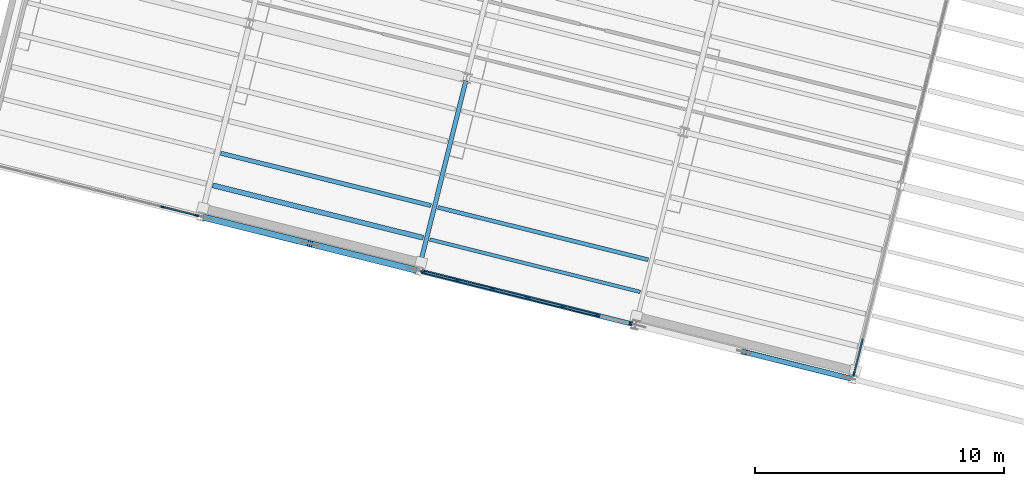
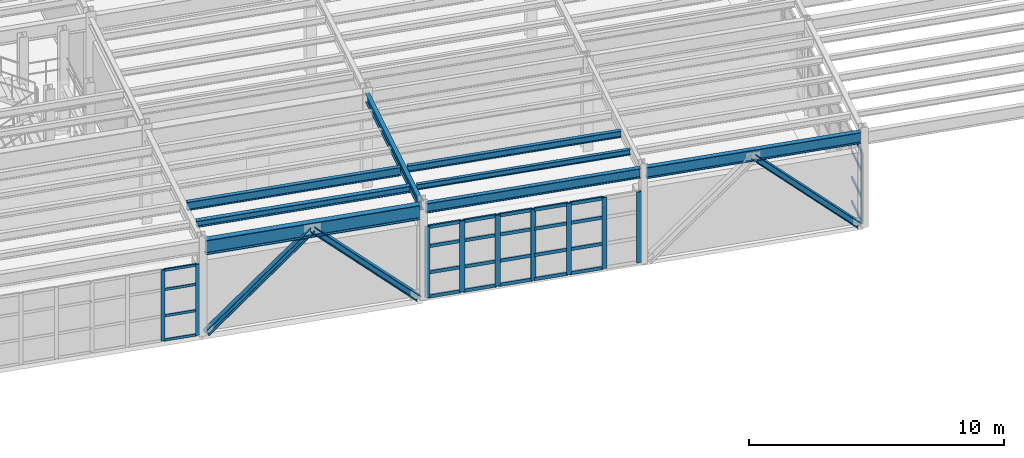
# One storey, part 28 of 102: 41 members, 8 beams, 3 elements without a shape of their own.
"""IFC4 building model written with IfcOpenShell, lengths in metres."""

from ifc_helpers import new_model, si_unit, direction, frame, origin, origin_2d, place, context, subcontext, project, spatial, rectangle, i_section, extrude, material, layer, layer_set, material_profile, profile_set, type_object, element, aggregate, save


model = new_model("IFC4")

# Units and contexts
model_context = context("Model", 3, precision=1e-05, world=origin(), true_north=direction((0.0, 1.0)))
body_context = subcontext(model_context, "Body", "Model", "MODEL_VIEW")
ifc_project = project(units=[si_unit("LENGTHUNIT", "METRE"), si_unit("AREAUNIT", "SQUARE_METRE"), si_unit("VOLUMEUNIT", "CUBIC_METRE"), si_unit("PLANEANGLEUNIT", "RADIAN"), si_unit("MASSUNIT", "GRAM", prefix="KILO")], contexts=[model_context])

# Site, building, storey
site_placement = place(None, origin())
site = spatial("IfcSite", under=ifc_project, at=site_placement, CompositionType="ELEMENT")
building_placement = place(site_placement, origin())
building = spatial("IfcBuilding", under=site, at=building_placement, Name="Vireo Bluff Cable Station", CompositionType="ELEMENT")
storey_placement = place(building_placement, frame((0.0, 0.0, 9.60009765625)))
storey = spatial("IfcBuildingStorey", under=building, at=storey_placement, Name="L02", CompositionType="ELEMENT", Elevation=9.60009765625)

# Beam
ifc_material_1 = material(Name="Steel ASTM A992 Gr. 50", Category="steel")
ifc_material_profile_1 = material_profile(ifc_material_1, i_section(OverallWidth=0.180908203125, OverallDepth=0.4169921875, WebThickness=0.010986328125, FlangeThickness=0.018310546875, FilletRadius=0.010009765625, at=origin_2d()), Name="W16X57")
ifc_profile_set_1 = profile_set([ifc_material_profile_1], Name="Steel ASTM A992 Gr. 50")
beam_type_1 = type_object("IfcBeamType", Name="BM-W16X57", PredefinedType="BEAM", material=ifc_profile_set_1)
beam_1_placement = place(storey_placement, frame((80.22705078125, 31.58447265625, 4.331298828125), z_axis=(0.241906346953, 0.970299602857, 0.0), x_axis=(-0.970299602857, 0.241906346953, 0.0)))
element("IfcBeam", 1, at=beam_1_placement, inside=storey, type_object=beam_type_1, Name="V1 L02 beam 178", PredefinedType="BEAM", context=body_context, shape_type="SweptSolid", body=[
    extrude(i_section(OverallWidth=0.180908203125, OverallDepth=0.4169921875, WebThickness=0.010986328125, FlangeThickness=0.018310546875, FilletRadius=0.010009765625, at=origin_2d()), origin(), (0.0, 0.0, 1.0), 7.760009765625),
])

# Members
ifc_material_profile_2 = material_profile(ifc_material_1, i_section(OverallWidth=0.2041015625, OverallDepth=0.257080078125, WebThickness=0.0087890625, FlangeThickness=0.015625, FilletRadius=0.009033203125, at=origin_2d()), Name="W10X45")
ifc_profile_set_2 = profile_set([ifc_material_profile_2], Name="Steel ASTM A992 Gr. 50")
member_type_1 = type_object("IfcMemberType", Name="BRC-01", PredefinedType="BRACE", material=ifc_profile_set_2)
member_1_placement = place(storey_placement, frame((97.508056640625, 27.15234375, 0.039794921875), z_axis=(-0.702089162406, 0.175023676639, 0.690244536847), x_axis=(-0.241887009228, -0.970304423759, 0.0)))
element("IfcMember", 2, at=member_1_placement, inside=storey, type_object=member_type_1, Name="V1 L02 concentric brace 12R", PredefinedType="BRACE", context=body_context, shape_type="SweptSolid", body=[
    extrude(i_section(OverallWidth=0.2041015625, OverallDepth=0.257080078125, WebThickness=0.0087890625, FlangeThickness=0.015625, FilletRadius=0.009033203125, at=origin_2d()), origin(), (0.0, 0.0, 1.0), 5.998046875),
])
ifc_material_profile_3 = material_profile(ifc_material_1, i_section(OverallWidth=0.2548828125, OverallDepth=0.256103515625, WebThickness=0.009521484375, FlangeThickness=0.015625, FilletRadius=0.009033203125, at=origin_2d()), Name="W10X54")
ifc_profile_set_3 = profile_set([ifc_material_profile_3], Name="Steel ASTM A992 Gr. 50")
member_type_2 = type_object("IfcMemberType", Name="BRC-02", PredefinedType="BRACE", material=ifc_profile_set_3)
member_2_placement = place(storey_placement, frame((71.62060546875, 33.606689453125, 0.039794921875), z_axis=(0.702063519762, -0.175068135349, 0.690259344163), x_axis=(0.241953175614, 0.970287926757, 0.0)))
element("IfcMember", 3, at=member_2_placement, inside=storey, type_object=member_type_2, Name="V1 L02 concentric brace 13L", PredefinedType="BRACE", context=body_context, shape_type="SweptSolid", body=[
    extrude(i_section(OverallWidth=0.2548828125, OverallDepth=0.256103515625, WebThickness=0.009521484375, FlangeThickness=0.015625, FilletRadius=0.009033203125, at=origin_2d()), origin(), (0.0, 0.0, 1.0), 5.998046875),
])
ifc_material_profile_4 = material_profile(ifc_material_1, i_section(OverallWidth=0.257080078125, OverallDepth=0.263916015625, WebThickness=0.011962890625, FlangeThickness=0.01953125, FilletRadius=0.009033203125, at=origin_2d()), Name="W10X68")
ifc_profile_set_4 = profile_set([ifc_material_profile_4], Name="Steel ASTM A992 Gr. 50")
member_type_3 = type_object("IfcMemberType", Name="BRC-03", PredefinedType="BRACE", material=ifc_profile_set_4)
member_3_placement = place(storey_placement, frame((80.042724609375, 31.5068359375, 0.039794921875), z_axis=(-0.702089162406, 0.175023676639, 0.690244536847), x_axis=(-0.241887009228, -0.970304423759, 0.0)))
element("IfcMember", 4, at=member_3_placement, inside=storey, type_object=member_type_3, Name="V1 L02 concentric brace 14R", PredefinedType="BRACE", context=body_context, shape_type="SweptSolid", body=[
    extrude(i_section(OverallWidth=0.257080078125, OverallDepth=0.263916015625, WebThickness=0.011962890625, FlangeThickness=0.01953125, FilletRadius=0.009033203125, at=origin_2d()), origin(), (0.0, 0.0, 1.0), 5.998046875),
])

# Curtain wall, members
ifc_material_2 = material(Name="Anodized Aluminium 6063-T6", Category="aluminium")
ifc_layer_1 = layer(ifc_material_2, 0.179931640625, Name="Anodized Aluminium 6063-T6")
ifc_layer_set_1 = layer_set([ifc_layer_1], Name="Anodized Aluminium 6063-T6")
curtain_wall_type_1 = type_object("IfcCurtainWallType", Name="CW-UNIT-1400", PredefinedType="USERDEFINED", material=ifc_layer_set_1)
curtain_wall_1_placement = place(storey_placement, origin())
curtain_wall_1 = element("IfcCurtainWall", 5, at=curtain_wall_1_placement, inside=storey, type_object=curtain_wall_type_1, Name="V1 L02 south curtain wall CW-009", ObjectType="UNITISED CURTAIN WALL", PredefinedType="USERDEFINED")
ifc_material_profile_5 = material_profile(ifc_material_2, rectangle(XDim=0.074951171875, YDim=0.2099609375, at=origin_2d()), Name="ALU-M-75X210")
ifc_profile_set_5 = profile_set([ifc_material_profile_5], Name="Anodized Aluminium 6063-T6")
member_type_4 = type_object("IfcMemberType", Name="CWM-02", PredefinedType="MULLION", material=ifc_profile_set_5)
member_4_placement = place(storey_placement, frame((88.76904296875, 29.3310546875, 0.0), z_axis=(0.0, 0.0, 1.0), x_axis=(-0.241921859664, -0.970295735236, 0.0)))
member_4 = element("IfcMember", 6, at=member_4_placement, type_object=member_type_4, Name="CW-009 mullion 1", PredefinedType="MULLION", context=body_context, shape_type="SweptSolid", body=[
    extrude(rectangle(XDim=0.074951171875, YDim=0.2099609375, at=origin_2d()), origin(), (0.0, 0.0, 1.0), 3.39990234375),
])
member_5_placement = place(storey_placement, frame((87.396240234375, 29.67333984375, 0.0), z_axis=(0.0, 0.0, 1.0), x_axis=(-0.241921859664, -0.970295735236, 0.0)))
member_5 = element("IfcMember", 7, at=member_5_placement, type_object=member_type_4, Name="CW-009 mullion 2", PredefinedType="MULLION", context=body_context, shape_type="SweptSolid", body=[
    extrude(rectangle(XDim=0.074951171875, YDim=0.2099609375, at=origin_2d()), origin(), (0.0, 0.0, 1.0), 3.39990234375),
])
member_6_placement = place(storey_placement, frame((85.98681640625, 30.024658203125, 0.0), z_axis=(0.0, 0.0, 1.0), x_axis=(-0.241921859664, -0.970295735236, 0.0)))
member_6 = element("IfcMember", 8, at=member_6_placement, type_object=member_type_4, Name="CW-009 mullion 3", PredefinedType="MULLION", context=body_context, shape_type="SweptSolid", body=[
    extrude(rectangle(XDim=0.074951171875, YDim=0.2099609375, at=origin_2d()), origin(), (0.0, 0.0, 1.0), 3.39990234375),
])
member_7_placement = place(storey_placement, frame((84.57763671875, 30.376220703125, 0.0), z_axis=(0.0, 0.0, 1.0), x_axis=(-0.241921859664, -0.970295735236, 0.0)))
member_7 = element("IfcMember", 9, at=member_7_placement, type_object=member_type_4, Name="CW-009 mullion 4", PredefinedType="MULLION", context=body_context, shape_type="SweptSolid", body=[
    extrude(rectangle(XDim=0.074951171875, YDim=0.2099609375, at=origin_2d()), origin(), (0.0, 0.0, 1.0), 3.39990234375),
])
member_8_placement = place(storey_placement, frame((83.16845703125, 30.7275390625, 0.0), z_axis=(0.0, 0.0, 1.0), x_axis=(-0.241921859664, -0.970295735236, 0.0)))
member_8 = element("IfcMember", 10, at=member_8_placement, type_object=member_type_4, Name="CW-009 mullion 5", PredefinedType="MULLION", context=body_context, shape_type="SweptSolid", body=[
    extrude(rectangle(XDim=0.074951171875, YDim=0.2099609375, at=origin_2d()), origin(), (0.0, 0.0, 1.0), 3.39990234375),
])
member_9_placement = place(storey_placement, frame((81.759033203125, 31.078857421875, 0.0), z_axis=(0.0, 0.0, 1.0), x_axis=(-0.241921859664, -0.970295735236, 0.0)))
member_9 = element("IfcMember", 11, at=member_9_placement, type_object=member_type_4, Name="CW-009 mullion 6", PredefinedType="MULLION", context=body_context, shape_type="SweptSolid", body=[
    extrude(rectangle(XDim=0.074951171875, YDim=0.2099609375, at=origin_2d()), origin(), (0.0, 0.0, 1.0), 3.39990234375),
])
member_10_placement = place(storey_placement, frame((80.38623046875, 31.421142578125, 0.0), z_axis=(0.0, 0.0, 1.0), x_axis=(-0.241921859664, -0.970295735236, 0.0)))
member_10 = element("IfcMember", 12, at=member_10_placement, type_object=member_type_4, Name="CW-009 mullion 7", PredefinedType="MULLION", context=body_context, shape_type="SweptSolid", body=[
    extrude(rectangle(XDim=0.074951171875, YDim=0.2099609375, at=origin_2d()), origin(), (0.0, 0.0, 1.0), 3.39990234375),
])

ifc_layer_2 = layer(ifc_material_2, 0.179931640625, Name="Anodized Aluminium 6063-T6")
ifc_layer_set_2 = layer_set([ifc_layer_2], Name="Anodized Aluminium 6063-T6")
curtain_wall_type_2 = type_object("IfcCurtainWallType", Name="CW-UNIT-1500", PredefinedType="USERDEFINED", material=ifc_layer_set_2)
curtain_wall_2_placement = place(storey_placement, origin())
curtain_wall_2 = element("IfcCurtainWall", 13, at=curtain_wall_2_placement, inside=storey, type_object=curtain_wall_type_2, Name="V1 L02 south curtain wall CW-010", ObjectType="UNITISED CURTAIN WALL", PredefinedType="USERDEFINED")
ifc_material_profile_6 = material_profile(ifc_material_2, rectangle(XDim=0.06005859375, YDim=0.159912109375, at=origin_2d()), Name="ALU-M-60X160")
ifc_profile_set_6 = profile_set([ifc_material_profile_6], Name="Anodized Aluminium 6063-T6")
member_type_5 = type_object("IfcMemberType", Name="CWM-03", PredefinedType="MULLION", material=ifc_profile_set_6)
member_11_placement = place(storey_placement, frame((71.284423828125, 33.6904296875, 0.0), z_axis=(0.0, 0.0, 1.0), x_axis=(-0.241921839952, -0.970295740151, 0.0)))
member_11 = element("IfcMember", 14, at=member_11_placement, type_object=member_type_5, Name="CW-010 mullion 1", PredefinedType="MULLION", context=body_context, shape_type="SweptSolid", body=[
    extrude(rectangle(XDim=0.06005859375, YDim=0.159912109375, at=origin_2d()), origin(), (0.0, 0.0, 1.0), 3.39990234375),
])
member_12_placement = place(storey_placement, frame((69.90869140625, 34.033447265625, 0.0), z_axis=(0.0, 0.0, 1.0), x_axis=(-0.241921839952, -0.970295740151, 0.0)))
member_12 = element("IfcMember", 15, at=member_12_placement, type_object=member_type_5, Name="CW-010 mullion 2", PredefinedType="MULLION", context=body_context, shape_type="SweptSolid", body=[
    extrude(rectangle(XDim=0.06005859375, YDim=0.159912109375, at=origin_2d()), origin(), (0.0, 0.0, 1.0), 3.39990234375),
])

# Curtain wall, member
curtain_wall_3_placement = place(storey_placement, origin())
curtain_wall_3 = element("IfcCurtainWall", 16, at=curtain_wall_3_placement, inside=storey, type_object=curtain_wall_type_1, Name="V1 L02 east curtain wall CW-018", ObjectType="UNITISED CURTAIN WALL", PredefinedType="USERDEFINED")
member_13_placement = place(storey_placement, frame((97.710205078125, 27.30126953125, 0.0), z_axis=(0.0, 0.0, 1.0), x_axis=(0.970295732031, -0.241921872517, 0.0)))
member_13 = element("IfcMember", 17, at=member_13_placement, type_object=member_type_5, Name="CW-018 mullion 6", PredefinedType="MULLION", context=body_context, shape_type="SweptSolid", body=[
    extrude(rectangle(XDim=0.06005859375, YDim=0.159912109375, at=origin_2d()), origin(), (0.0, 0.0, 1.0), 3.39990234375),
])

# Member
ifc_material_profile_7 = material_profile(ifc_material_2, rectangle(XDim=0.074951171875, YDim=0.159912109375, at=origin_2d()), Name="ALU-T-75X160")
ifc_profile_set_7 = profile_set([ifc_material_profile_7], Name="Anodized Aluminium 6063-T6")
member_type_6 = type_object("IfcMemberType", Name="CWT-02", PredefinedType="USERDEFINED", material=ifc_profile_set_7)
member_14_placement = place(storey_placement, frame((87.35986328125, 29.682373046875, 0.037353515625), z_axis=(-0.9702882983, 0.241951685637, 0.0), x_axis=(-0.241951685637, -0.9702882983, 0.0)))
member_14 = element("IfcMember", 18, at=member_14_placement, type_object=member_type_6, Name="CW-009 transom 2.1", ObjectType="TRANSOM", PredefinedType="USERDEFINED", context=body_context, shape_type="SweptSolid", body=[
    extrude(rectangle(XDim=0.074951171875, YDim=0.159912109375, at=origin_2d()), origin(), (0.0, 0.0, 1.0), 1.37744140625),
])

member_15_placement = place(storey_placement, frame((87.35986328125, 29.682373046875, 1.18994140625), z_axis=(-0.9702882983, 0.241951685637, 0.0), x_axis=(-0.241951685637, -0.9702882983, 0.0)))
member_15 = element("IfcMember", 19, at=member_15_placement, type_object=member_type_6, Name="CW-009 transom 2.2", ObjectType="TRANSOM", PredefinedType="USERDEFINED", context=body_context, shape_type="SweptSolid", body=[
    extrude(rectangle(XDim=0.074951171875, YDim=0.159912109375, at=origin_2d()), origin(), (0.0, 0.0, 1.0), 1.37744140625),
])

member_16_placement = place(storey_placement, frame((87.35986328125, 29.682373046875, 2.447998046875), z_axis=(-0.9702882983, 0.241951685637, 0.0), x_axis=(-0.241951685637, -0.9702882983, 0.0)))
member_16 = element("IfcMember", 20, at=member_16_placement, type_object=member_type_6, Name="CW-009 transom 2.3", ObjectType="TRANSOM", PredefinedType="USERDEFINED", context=body_context, shape_type="SweptSolid", body=[
    extrude(rectangle(XDim=0.074951171875, YDim=0.159912109375, at=origin_2d()), origin(), (0.0, 0.0, 1.0), 1.37744140625),
])

member_17_placement = place(storey_placement, frame((87.35986328125, 29.682373046875, 3.3623046875), z_axis=(-0.9702882983, 0.241951685637, 0.0), x_axis=(-0.241951685637, -0.9702882983, 0.0)))
member_17 = element("IfcMember", 21, at=member_17_placement, type_object=member_type_6, Name="CW-009 transom 2.4", ObjectType="TRANSOM", PredefinedType="USERDEFINED", context=body_context, shape_type="SweptSolid", body=[
    extrude(rectangle(XDim=0.074951171875, YDim=0.159912109375, at=origin_2d()), origin(), (0.0, 0.0, 1.0), 1.37744140625),
])

member_18_placement = place(storey_placement, frame((85.950439453125, 30.033935546875, 0.037353515625), z_axis=(-0.970329898389, 0.241784797479, 0.0), x_axis=(-0.241784797479, -0.970329898389, 0.0)))
member_18 = element("IfcMember", 22, at=member_18_placement, type_object=member_type_6, Name="CW-009 transom 3.1", ObjectType="TRANSOM", PredefinedType="USERDEFINED", context=body_context, shape_type="SweptSolid", body=[
    extrude(rectangle(XDim=0.074951171875, YDim=0.159912109375, at=origin_2d()), origin(), (0.0, 0.0, 1.0), 1.377197265625),
])

member_19_placement = place(storey_placement, frame((85.950439453125, 30.033935546875, 1.18994140625), z_axis=(-0.970329898389, 0.241784797479, 0.0), x_axis=(-0.241784797479, -0.970329898389, 0.0)))
member_19 = element("IfcMember", 23, at=member_19_placement, type_object=member_type_6, Name="CW-009 transom 3.2", ObjectType="TRANSOM", PredefinedType="USERDEFINED", context=body_context, shape_type="SweptSolid", body=[
    extrude(rectangle(XDim=0.074951171875, YDim=0.159912109375, at=origin_2d()), origin(), (0.0, 0.0, 1.0), 1.377197265625),
])

member_20_placement = place(storey_placement, frame((85.950439453125, 30.033935546875, 2.447998046875), z_axis=(-0.970329898389, 0.241784797479, 0.0), x_axis=(-0.241784797479, -0.970329898389, 0.0)))
member_20 = element("IfcMember", 24, at=member_20_placement, type_object=member_type_6, Name="CW-009 transom 3.3", ObjectType="TRANSOM", PredefinedType="USERDEFINED", context=body_context, shape_type="SweptSolid", body=[
    extrude(rectangle(XDim=0.074951171875, YDim=0.159912109375, at=origin_2d()), origin(), (0.0, 0.0, 1.0), 1.377197265625),
])

member_21_placement = place(storey_placement, frame((85.950439453125, 30.033935546875, 3.3623046875), z_axis=(-0.970329898389, 0.241784797479, 0.0), x_axis=(-0.241784797479, -0.970329898389, 0.0)))
member_21 = element("IfcMember", 25, at=member_21_placement, type_object=member_type_6, Name="CW-009 transom 3.4", ObjectType="TRANSOM", PredefinedType="USERDEFINED", context=body_context, shape_type="SweptSolid", body=[
    extrude(rectangle(XDim=0.074951171875, YDim=0.159912109375, at=origin_2d()), origin(), (0.0, 0.0, 1.0), 1.377197265625),
])

member_22_placement = place(storey_placement, frame((84.541259765625, 30.38525390625, 0.037353515625), z_axis=(-0.9702882983, 0.241951685637, 0.0), x_axis=(-0.241951685637, -0.9702882983, 0.0)))
member_22 = element("IfcMember", 26, at=member_22_placement, type_object=member_type_6, Name="CW-009 transom 4.1", ObjectType="TRANSOM", PredefinedType="USERDEFINED", context=body_context, shape_type="SweptSolid", body=[
    extrude(rectangle(XDim=0.074951171875, YDim=0.159912109375, at=origin_2d()), origin(), (0.0, 0.0, 1.0), 1.37744140625),
])

member_23_placement = place(storey_placement, frame((84.541259765625, 30.38525390625, 1.18994140625), z_axis=(-0.9702882983, 0.241951685637, 0.0), x_axis=(-0.241951685637, -0.9702882983, 0.0)))
member_23 = element("IfcMember", 27, at=member_23_placement, type_object=member_type_6, Name="CW-009 transom 4.2", ObjectType="TRANSOM", PredefinedType="USERDEFINED", context=body_context, shape_type="SweptSolid", body=[
    extrude(rectangle(XDim=0.074951171875, YDim=0.159912109375, at=origin_2d()), origin(), (0.0, 0.0, 1.0), 1.37744140625),
])

member_24_placement = place(storey_placement, frame((84.541259765625, 30.38525390625, 2.447998046875), z_axis=(-0.9702882983, 0.241951685637, 0.0), x_axis=(-0.241951685637, -0.9702882983, 0.0)))
member_24 = element("IfcMember", 28, at=member_24_placement, type_object=member_type_6, Name="CW-009 transom 4.3", ObjectType="TRANSOM", PredefinedType="USERDEFINED", context=body_context, shape_type="SweptSolid", body=[
    extrude(rectangle(XDim=0.074951171875, YDim=0.159912109375, at=origin_2d()), origin(), (0.0, 0.0, 1.0), 1.37744140625),
])

member_25_placement = place(storey_placement, frame((84.541259765625, 30.38525390625, 3.3623046875), z_axis=(-0.9702882983, 0.241951685637, 0.0), x_axis=(-0.241951685637, -0.9702882983, 0.0)))
member_25 = element("IfcMember", 29, at=member_25_placement, type_object=member_type_6, Name="CW-009 transom 4.4", ObjectType="TRANSOM", PredefinedType="USERDEFINED", context=body_context, shape_type="SweptSolid", body=[
    extrude(rectangle(XDim=0.074951171875, YDim=0.159912109375, at=origin_2d()), origin(), (0.0, 0.0, 1.0), 1.37744140625),
])

member_26_placement = place(storey_placement, frame((83.132080078125, 30.736572265625, 0.037353515625), z_axis=(-0.970298672181, 0.241910079914, 0.0), x_axis=(-0.241910079914, -0.970298672181, 0.0)))
member_26 = element("IfcMember", 30, at=member_26_placement, type_object=member_type_6, Name="CW-009 transom 5.1", ObjectType="TRANSOM", PredefinedType="USERDEFINED", context=body_context, shape_type="SweptSolid", body=[
    extrude(rectangle(XDim=0.074951171875, YDim=0.159912109375, at=origin_2d()), origin(), (0.0, 0.0, 1.0), 1.377685546875),
])

member_27_placement = place(storey_placement, frame((83.132080078125, 30.736572265625, 1.18994140625), z_axis=(-0.970298672181, 0.241910079914, 0.0), x_axis=(-0.241910079914, -0.970298672181, 0.0)))
member_27 = element("IfcMember", 31, at=member_27_placement, type_object=member_type_6, Name="CW-009 transom 5.2", ObjectType="TRANSOM", PredefinedType="USERDEFINED", context=body_context, shape_type="SweptSolid", body=[
    extrude(rectangle(XDim=0.074951171875, YDim=0.159912109375, at=origin_2d()), origin(), (0.0, 0.0, 1.0), 1.377685546875),
])

member_28_placement = place(storey_placement, frame((83.132080078125, 30.736572265625, 2.447998046875), z_axis=(-0.970298672181, 0.241910079914, 0.0), x_axis=(-0.241910079914, -0.970298672181, 0.0)))
member_28 = element("IfcMember", 32, at=member_28_placement, type_object=member_type_6, Name="CW-009 transom 5.3", ObjectType="TRANSOM", PredefinedType="USERDEFINED", context=body_context, shape_type="SweptSolid", body=[
    extrude(rectangle(XDim=0.074951171875, YDim=0.159912109375, at=origin_2d()), origin(), (0.0, 0.0, 1.0), 1.377685546875),
])

member_29_placement = place(storey_placement, frame((83.132080078125, 30.736572265625, 3.3623046875), z_axis=(-0.970298672181, 0.241910079914, 0.0), x_axis=(-0.241910079914, -0.970298672181, 0.0)))
member_29 = element("IfcMember", 33, at=member_29_placement, type_object=member_type_6, Name="CW-009 transom 5.4", ObjectType="TRANSOM", PredefinedType="USERDEFINED", context=body_context, shape_type="SweptSolid", body=[
    extrude(rectangle(XDim=0.074951171875, YDim=0.159912109375, at=origin_2d()), origin(), (0.0, 0.0, 1.0), 1.377685546875),
])

member_30_placement = place(storey_placement, frame((81.72265625, 31.087890625, 0.037353515625), z_axis=(-0.97028167903, 0.241978229061, 0.0), x_axis=(-0.241978229061, -0.97028167903, 0.0)))
member_30 = element("IfcMember", 34, at=member_30_placement, type_object=member_type_6, Name="CW-009 transom 6.1", ObjectType="TRANSOM", PredefinedType="USERDEFINED", context=body_context, shape_type="SweptSolid", body=[
    extrude(rectangle(XDim=0.074951171875, YDim=0.159912109375, at=origin_2d()), origin(), (0.0, 0.0, 1.0), 1.33984375),
])

member_31_placement = place(storey_placement, frame((81.72265625, 31.087890625, 1.18994140625), z_axis=(-0.97028167903, 0.241978229061, 0.0), x_axis=(-0.241978229061, -0.97028167903, 0.0)))
member_31 = element("IfcMember", 35, at=member_31_placement, type_object=member_type_6, Name="CW-009 transom 6.2", ObjectType="TRANSOM", PredefinedType="USERDEFINED", context=body_context, shape_type="SweptSolid", body=[
    extrude(rectangle(XDim=0.074951171875, YDim=0.159912109375, at=origin_2d()), origin(), (0.0, 0.0, 1.0), 1.33984375),
])

member_32_placement = place(storey_placement, frame((81.72265625, 31.087890625, 2.447998046875), z_axis=(-0.97028167903, 0.241978229061, 0.0), x_axis=(-0.241978229061, -0.97028167903, 0.0)))
member_32 = element("IfcMember", 36, at=member_32_placement, type_object=member_type_6, Name="CW-009 transom 6.3", ObjectType="TRANSOM", PredefinedType="USERDEFINED", context=body_context, shape_type="SweptSolid", body=[
    extrude(rectangle(XDim=0.074951171875, YDim=0.159912109375, at=origin_2d()), origin(), (0.0, 0.0, 1.0), 1.33984375),
])

member_33_placement = place(storey_placement, frame((81.72265625, 31.087890625, 3.3623046875), z_axis=(-0.97028167903, 0.241978229061, 0.0), x_axis=(-0.241978229061, -0.97028167903, 0.0)))
member_33 = element("IfcMember", 37, at=member_33_placement, type_object=member_type_6, Name="CW-009 transom 6.4", ObjectType="TRANSOM", PredefinedType="USERDEFINED", context=body_context, shape_type="SweptSolid", body=[
    extrude(rectangle(XDim=0.074951171875, YDim=0.159912109375, at=origin_2d()), origin(), (0.0, 0.0, 1.0), 1.33984375),
])

aggregate(curtain_wall_1, [member_4, member_5, member_6, member_7, member_8, member_9, member_10, member_14, member_15, member_16, member_17, member_18, member_19, member_20, member_21, member_22, member_23, member_24, member_25, member_26, member_27, member_28, member_29, member_30, member_31, member_32, member_33])

ifc_material_profile_8 = material_profile(ifc_material_2, rectangle(XDim=0.06005859375, YDim=0.1201171875, at=origin_2d()), Name="ALU-T-60X120")
ifc_profile_set_8 = profile_set([ifc_material_profile_8], Name="Anodized Aluminium 6063-T6")
member_type_7 = type_object("IfcMemberType", Name="CWT-03", PredefinedType="USERDEFINED", material=ifc_profile_set_8)
member_34_placement = place(storey_placement, frame((71.25537109375, 33.69775390625, 0.02978515625), z_axis=(-0.970279824125, 0.241985666717, 0.0), x_axis=(-0.241985666717, -0.970279824125, 0.0)))
member_34 = element("IfcMember", 38, at=member_34_placement, type_object=member_type_7, Name="CW-010 transom 1.1", ObjectType="TRANSOM", PredefinedType="USERDEFINED", context=body_context, shape_type="SweptSolid", body=[
    extrude(rectangle(XDim=0.06005859375, YDim=0.1201171875, at=origin_2d()), origin(), (0.0, 0.0, 1.0), 1.35791015625),
])

member_35_placement = place(storey_placement, frame((71.25537109375, 33.69775390625, 1.18994140625), z_axis=(-0.970279824125, 0.241985666717, 0.0), x_axis=(-0.241985666717, -0.970279824125, 0.0)))
member_35 = element("IfcMember", 39, at=member_35_placement, type_object=member_type_7, Name="CW-010 transom 1.2", ObjectType="TRANSOM", PredefinedType="USERDEFINED", context=body_context, shape_type="SweptSolid", body=[
    extrude(rectangle(XDim=0.06005859375, YDim=0.1201171875, at=origin_2d()), origin(), (0.0, 0.0, 1.0), 1.35791015625),
])

member_36_placement = place(storey_placement, frame((71.25537109375, 33.69775390625, 2.447998046875), z_axis=(-0.970279824125, 0.241985666717, 0.0), x_axis=(-0.241985666717, -0.970279824125, 0.0)))
member_36 = element("IfcMember", 40, at=member_36_placement, type_object=member_type_7, Name="CW-010 transom 1.3", ObjectType="TRANSOM", PredefinedType="USERDEFINED", context=body_context, shape_type="SweptSolid", body=[
    extrude(rectangle(XDim=0.06005859375, YDim=0.1201171875, at=origin_2d()), origin(), (0.0, 0.0, 1.0), 1.35791015625),
])

member_37_placement = place(storey_placement, frame((71.25537109375, 33.69775390625, 3.369873046875), z_axis=(-0.970279824125, 0.241985666717, 0.0), x_axis=(-0.241985666717, -0.970279824125, 0.0)))
member_37 = element("IfcMember", 41, at=member_37_placement, type_object=member_type_7, Name="CW-010 transom 1.4", ObjectType="TRANSOM", PredefinedType="USERDEFINED", context=body_context, shape_type="SweptSolid", body=[
    extrude(rectangle(XDim=0.06005859375, YDim=0.1201171875, at=origin_2d()), origin(), (0.0, 0.0, 1.0), 1.35791015625),
])

aggregate(curtain_wall_2, [member_11, member_12, member_34, member_35, member_36, member_37])

member_38_placement = place(storey_placement, frame((98.066650390625, 28.731201171875, 0.02978515625), z_axis=(-0.241978557917, -0.970281597016, 0.0), x_axis=(0.970281597016, -0.241978557917, 0.0)))
member_38 = element("IfcMember", 42, at=member_38_placement, type_object=member_type_7, Name="CW-018 transom 5.1", ObjectType="TRANSOM", PredefinedType="USERDEFINED", context=body_context, shape_type="SweptSolid", body=[
    extrude(rectangle(XDim=0.06005859375, YDim=0.1201171875, at=origin_2d()), origin(), (0.0, 0.0, 1.0), 1.44384765625),
])

member_39_placement = place(storey_placement, frame((98.066650390625, 28.731201171875, 1.18994140625), z_axis=(-0.241978557917, -0.970281597016, 0.0), x_axis=(0.970281597016, -0.241978557917, 0.0)))
member_39 = element("IfcMember", 43, at=member_39_placement, type_object=member_type_7, Name="CW-018 transom 5.2", ObjectType="TRANSOM", PredefinedType="USERDEFINED", context=body_context, shape_type="SweptSolid", body=[
    extrude(rectangle(XDim=0.06005859375, YDim=0.1201171875, at=origin_2d()), origin(), (0.0, 0.0, 1.0), 1.44384765625),
])

member_40_placement = place(storey_placement, frame((98.066650390625, 28.731201171875, 2.447998046875), z_axis=(-0.241978557917, -0.970281597016, 0.0), x_axis=(0.970281597016, -0.241978557917, 0.0)))
member_40 = element("IfcMember", 44, at=member_40_placement, type_object=member_type_7, Name="CW-018 transom 5.3", ObjectType="TRANSOM", PredefinedType="USERDEFINED", context=body_context, shape_type="SweptSolid", body=[
    extrude(rectangle(XDim=0.06005859375, YDim=0.1201171875, at=origin_2d()), origin(), (0.0, 0.0, 1.0), 1.44384765625),
])

member_41_placement = place(storey_placement, frame((98.066650390625, 28.731201171875, 3.369873046875), z_axis=(-0.241978557917, -0.970281597016, 0.0), x_axis=(0.970281597016, -0.241978557917, 0.0)))
member_41 = element("IfcMember", 45, at=member_41_placement, type_object=member_type_7, Name="CW-018 transom 5.4", ObjectType="TRANSOM", PredefinedType="USERDEFINED", context=body_context, shape_type="SweptSolid", body=[
    extrude(rectangle(XDim=0.06005859375, YDim=0.1201171875, at=origin_2d()), origin(), (0.0, 0.0, 1.0), 1.44384765625),
])

aggregate(curtain_wall_3, [member_13, member_38, member_39, member_40, member_41])

# Beams
ifc_material_profile_9 = material_profile(ifc_material_1, i_section(OverallWidth=0.14599609375, OverallDepth=0.259033203125, WebThickness=0.006103515625, FlangeThickness=0.009033203125, FilletRadius=0.009033203125, at=origin_2d()), Name="W10X22")
ifc_profile_set_9 = profile_set([ifc_material_profile_9], Name="Steel ASTM A992 Gr. 50")
beam_type_2 = type_object("IfcBeamType", Name="JST-W10X22", PredefinedType="JOIST", material=ifc_profile_set_9)
beam_2_placement = place(storey_placement, frame((80.656494140625, 32.72802734375, 4.410400390625), z_axis=(0.970293828661, -0.24192950639, 0.0), x_axis=(0.24192950639, 0.970293828661, 0.0)))
element("IfcBeam", 46, at=beam_2_placement, inside=storey, type_object=beam_type_2, Name="V1 L02 composite joist 227", PredefinedType="JOIST", context=body_context, shape_type="SweptSolid", body=[
    extrude(i_section(OverallWidth=0.14599609375, OverallDepth=0.259033203125, WebThickness=0.006103515625, FlangeThickness=0.009033203125, FilletRadius=0.009033203125, at=origin_2d()), origin(), (0.0, 0.0, 1.0), 8.719970703125),
])
ifc_material_profile_10 = material_profile(ifc_material_1, i_section(OverallWidth=0.1650390625, OverallDepth=0.31005859375, WebThickness=0.005859375, FlangeThickness=0.009765625, FilletRadius=0.010009765625, at=origin_2d()), Name="W12X26")
ifc_profile_set_10 = profile_set([ifc_material_profile_10], Name="Steel ASTM A992 Gr. 50")
beam_type_3 = type_object("IfcBeamType", Name="JST-W12X26", PredefinedType="JOIST", material=ifc_profile_set_10)
beam_3_placement = place(storey_placement, frame((80.97900390625, 34.021728515625, 4.385009765625), z_axis=(0.970293828661, -0.24192950639, 0.0), x_axis=(0.24192950639, 0.970293828661, 0.0)))
element("IfcBeam", 47, at=beam_3_placement, inside=storey, type_object=beam_type_3, Name="V1 L02 composite joist 228", PredefinedType="JOIST", context=body_context, shape_type="SweptSolid", body=[
    extrude(i_section(OverallWidth=0.1650390625, OverallDepth=0.31005859375, WebThickness=0.005859375, FlangeThickness=0.009765625, FilletRadius=0.010009765625, at=origin_2d()), origin(), (0.0, 0.0, 1.0), 8.719970703125),
])
ifc_material_profile_11 = material_profile(ifc_material_1, i_section(OverallWidth=0.202880859375, OverallDepth=0.302978515625, WebThickness=0.007568359375, FlangeThickness=0.01318359375, FilletRadius=0.010009765625, at=origin_2d()), Name="W12X40")
ifc_profile_set_11 = profile_set([ifc_material_profile_11], Name="Steel ASTM A992 Gr. 50")
beam_type_4 = type_object("IfcBeamType", Name="JST-W12X40", PredefinedType="JOIST", material=ifc_profile_set_11)
beam_4_placement = place(storey_placement, frame((71.923828125, 34.9052734375, 4.388427734375), z_axis=(0.970293828661, -0.24192950639, 0.0), x_axis=(0.24192950639, 0.970293828661, 0.0)))
element("IfcBeam", 48, at=beam_4_placement, inside=storey, type_object=beam_type_4, Name="V1 L02 composite joist 212", PredefinedType="JOIST", context=body_context, shape_type="SweptSolid", body=[
    extrude(i_section(OverallWidth=0.202880859375, OverallDepth=0.302978515625, WebThickness=0.007568359375, FlangeThickness=0.01318359375, FilletRadius=0.010009765625, at=origin_2d()), origin(), (0.0, 0.0, 1.0), 8.719970703125),
])
ifc_material_profile_12 = material_profile(ifc_material_1, i_section(OverallWidth=0.177978515625, OverallDepth=0.404052734375, WebThickness=0.007568359375, FlangeThickness=0.010986328125, FilletRadius=0.010009765625, at=origin_2d()), Name="W16X36")
ifc_profile_set_12 = profile_set([ifc_material_profile_12], Name="Steel ASTM A992 Gr. 50")
beam_type_5 = type_object("IfcBeamType", Name="JST-W16X36", PredefinedType="JOIST", material=ifc_profile_set_12)
beam_5_placement = place(storey_placement, frame((72.246337890625, 36.198974609375, 4.337890625), z_axis=(0.970293828661, -0.24192950639, 0.0), x_axis=(0.24192950639, 0.970293828661, 0.0)))
element("IfcBeam", 49, at=beam_5_placement, inside=storey, type_object=beam_type_5, Name="V1 L02 composite joist 213", PredefinedType="JOIST", context=body_context, shape_type="SweptSolid", body=[
    extrude(i_section(OverallWidth=0.177978515625, OverallDepth=0.404052734375, WebThickness=0.007568359375, FlangeThickness=0.010986328125, FilletRadius=0.010009765625, at=origin_2d()), origin(), (0.0, 0.0, 1.0), 8.719970703125),
])
ifc_material_profile_13 = material_profile(ifc_material_1, i_section(OverallWidth=0.19091796875, OverallDepth=0.45703125, WebThickness=0.009033203125, FlangeThickness=0.014404296875, FilletRadius=0.011962890625, at=origin_2d()), Name="W18X50")
ifc_profile_set_13 = profile_set([ifc_material_profile_13], Name="Steel ASTM A992 Gr. 50")
beam_type_6 = type_object("IfcBeamType", Name="SPN-W18X50", PredefinedType="SPANDREL", material=ifc_profile_set_13)
beam_6_placement = place(storey_placement, frame((80.314453125, 31.43896484375, 4.3115234375), z_axis=(0.970298044881, -0.241912595995, 0.0), x_axis=(0.241912595995, 0.970298044881, 0.0)))
element("IfcBeam", 50, at=beam_6_placement, inside=storey, type_object=beam_type_6, Name="V1 L02 spandrel 148", PredefinedType="SPANDREL", context=body_context, shape_type="SweptSolid", body=[
    extrude(i_section(OverallWidth=0.19091796875, OverallDepth=0.45703125, WebThickness=0.009033203125, FlangeThickness=0.014404296875, FilletRadius=0.011962890625, at=origin_2d()), origin(), (0.0, 0.0, 1.0), 8.760009765625),
])
ifc_material_profile_14 = material_profile(ifc_material_1, i_section(OverallWidth=0.2099609375, OverallDepth=0.535888671875, WebThickness=0.010986328125, FlangeThickness=0.017333984375, FilletRadius=0.012939453125, at=origin_2d()), Name="W21X68")
ifc_profile_set_14 = profile_set([ifc_material_profile_14], Name="Steel ASTM A992 Gr. 50")
beam_type_7 = type_object("IfcBeamType", Name="SPN-W21X68", PredefinedType="SPANDREL", material=ifc_profile_set_14)
beam_7_placement = place(storey_placement, frame((89.047119140625, 29.26171875, 4.27197265625), z_axis=(0.970298044881, -0.241912595995, 0.0), x_axis=(0.241912595995, 0.970298044881, 0.0)))
element("IfcBeam", 51, at=beam_7_placement, inside=storey, type_object=beam_type_7, Name="V1 L02 spandrel 149", PredefinedType="SPANDREL", context=body_context, shape_type="SweptSolid", body=[
    extrude(i_section(OverallWidth=0.2099609375, OverallDepth=0.535888671875, WebThickness=0.010986328125, FlangeThickness=0.017333984375, FilletRadius=0.012939453125, at=origin_2d()), origin(), (0.0, 0.0, 1.0), 8.760009765625),
])
ifc_material_profile_15 = material_profile(ifc_material_1, i_section(OverallWidth=0.257080078125, OverallDepth=0.693115234375, WebThickness=0.014404296875, FlangeThickness=0.023681640625, FilletRadius=0.014892578125, at=origin_2d()), Name="W27X114")
ifc_profile_set_15 = profile_set([ifc_material_profile_15], Name="Steel ASTM A992 Gr. 50")
beam_type_8 = type_object("IfcBeamType", Name="SPN-W27X114", PredefinedType="SPANDREL", material=ifc_profile_set_15)
beam_8_placement = place(storey_placement, frame((71.581787109375, 33.616455078125, 4.193359375), z_axis=(0.970291502693, -0.241938834838, 0.0), x_axis=(0.241938834838, 0.970291502693, 0.0)))
element("IfcBeam", 52, at=beam_8_placement, inside=storey, type_object=beam_type_8, Name="V1 L02 spandrel 147", PredefinedType="SPANDREL", context=body_context, shape_type="SweptSolid", body=[
    extrude(i_section(OverallWidth=0.257080078125, OverallDepth=0.693115234375, WebThickness=0.014404296875, FlangeThickness=0.023681640625, FilletRadius=0.014892578125, at=origin_2d()), origin(), (0.0, 0.0, 1.0), 8.760009765625),
])

save(model, "model.ifc")
